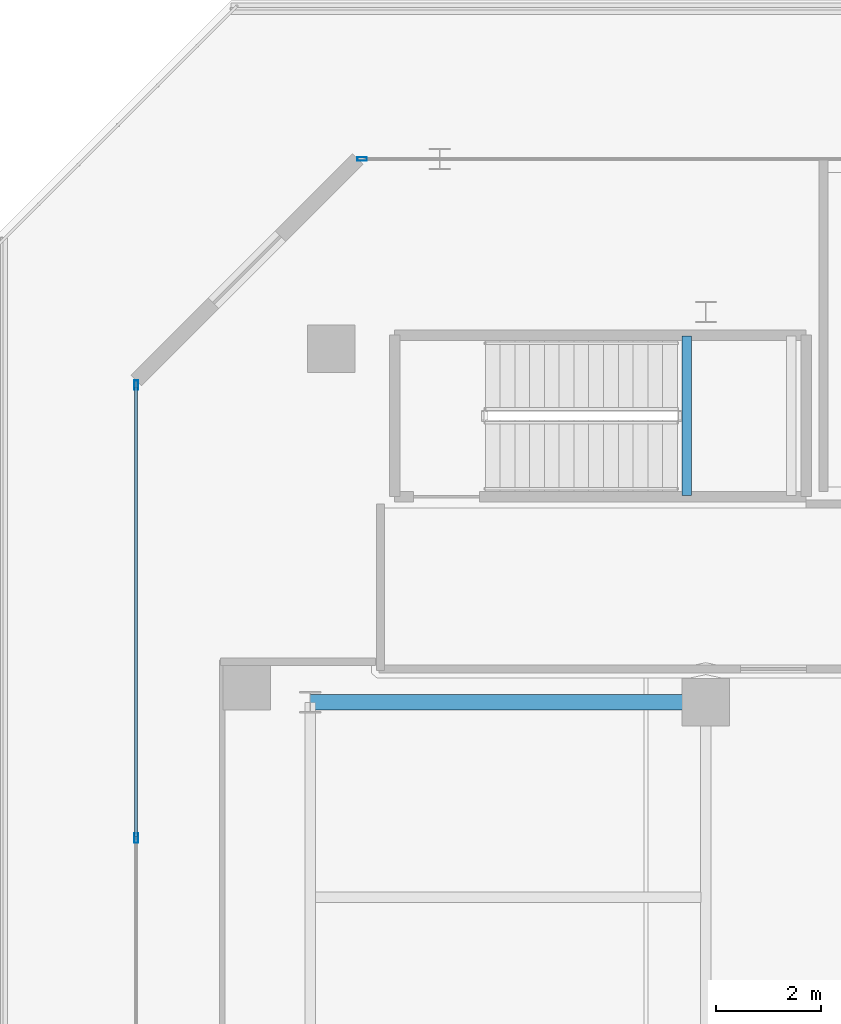
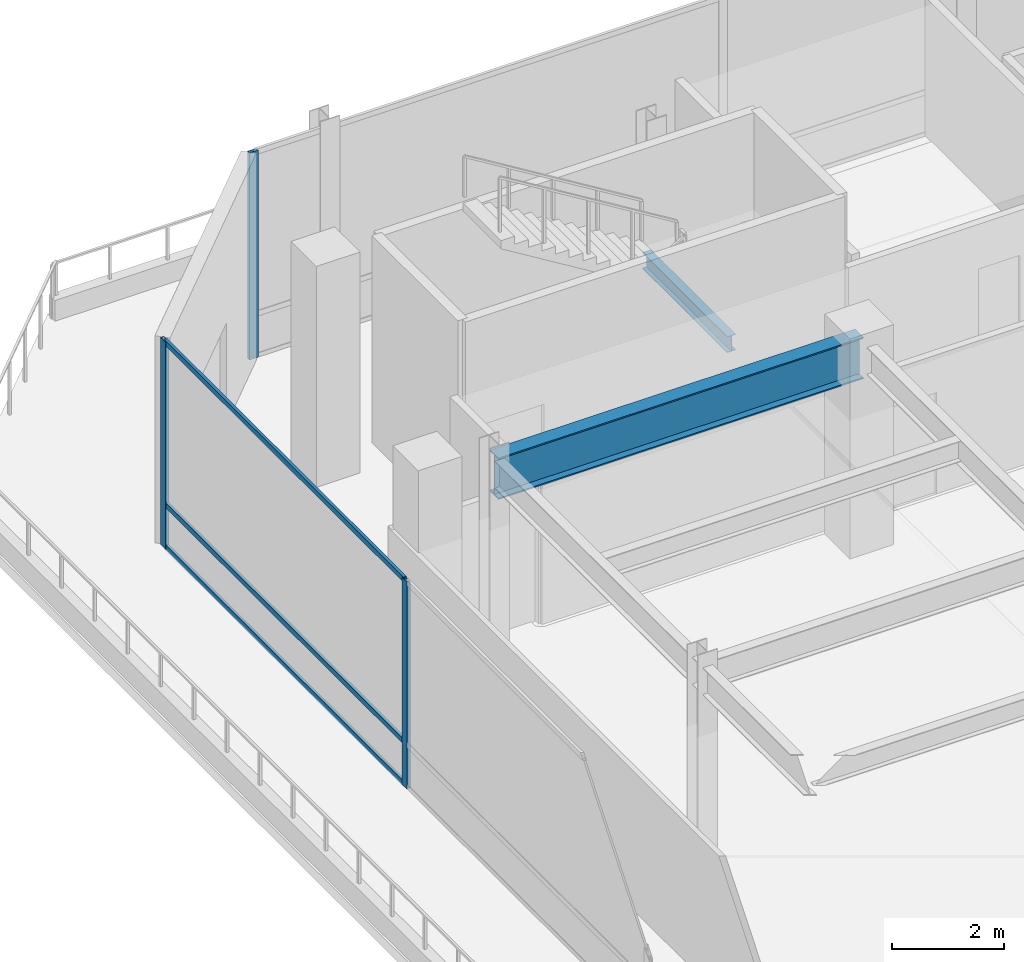
# One storey, part 14 of 39: 6 members, 2 beams, 2 elements without a shape of their own.
"""IFC4 building model written with IfcOpenShell, lengths in metres."""

from ifc_helpers import new_model, si_unit, direction, frame, origin, origin_2d, place, context, subcontext, project, spatial, hollow_rectangle, i_section, extrude, material, layer, layer_set, material_profile, profile_set, type_object, element, aggregate, save


model = new_model("IFC4")

# Units and contexts
model_context = context("Model", 3, precision=1e-05, world=origin(), true_north=direction((0.0, 1.0)))
body_context = subcontext(model_context, "Body", "Model", "MODEL_VIEW")
ifc_project = project(units=[si_unit("LENGTHUNIT", "METRE"), si_unit("AREAUNIT", "SQUARE_METRE"), si_unit("VOLUMEUNIT", "CUBIC_METRE"), si_unit("PLANEANGLEUNIT", "RADIAN"), si_unit("MASSUNIT", "GRAM", prefix="KILO")], contexts=[model_context])

# Site, building, storey
site_placement = place(None, origin())
site = spatial("IfcSite", under=ifc_project, at=site_placement, CompositionType="ELEMENT")
building_placement = place(site_placement, origin())
building = spatial("IfcBuilding", under=site, at=building_placement, Name="Qianvela Tower", CompositionType="ELEMENT")
storey_placement = place(building_placement, frame((0.0, 0.0, 15.800048828125)))
storey = spatial("IfcBuildingStorey", under=building, at=storey_placement, Name="L03", CompositionType="ELEMENT", Elevation=15.800048828125)

# Beams
ifc_material_1 = material(Name="Steel Q355B", Category="steel")
ifc_material_profile_1 = material_profile(ifc_material_1, i_section(OverallWidth=0.175048828125, OverallDepth=0.35009765625, WebThickness=0.007080078125, FlangeThickness=0.010986328125, at=origin_2d()), Name="HN350x175x7x11")
ifc_profile_set_1 = profile_set([ifc_material_profile_1], Name="Steel Q355B")
beam_type_1 = type_object("IfcBeamType", Name="BM-HN350-JOIST", PredefinedType="JOIST", material=ifc_profile_set_1)
beam_1_placement = place(storey_placement, frame((14.639892578125, 41.1201171875, 2.02490234375), z_axis=(0.0, 1.0, 0.0), x_axis=(-1.0, 0.0, 0.0)))
element("IfcBeam", 1, at=beam_1_placement, inside=storey, type_object=beam_type_1, Name="L03 Stair ST-3 Landing Support Beam 1.1", PredefinedType="JOIST", context=body_context, shape_type="SweptSolid", body=[
    extrude(i_section(OverallWidth=0.175048828125, OverallDepth=0.35009765625, WebThickness=0.007080078125, FlangeThickness=0.010986328125, at=origin_2d()), origin(), (0.0, 0.0, 1.0), 3.019775390625),
])
ifc_material_2 = material(Name="Steel Q355B", Category="steel")
ifc_material_profile_2 = material_profile(ifc_material_2, i_section(OverallWidth=0.300048828125, OverallDepth=0.89990234375, WebThickness=0.01611328125, FlangeThickness=0.028076171875, at=origin_2d()), Name="HN900x300x16x28")
ifc_profile_set_2 = profile_set([ifc_material_profile_2], Name="Steel Q355B")
beam_type_2 = type_object("IfcBeamType", Name="BM-HN900-SPAND", PredefinedType="SPANDREL", material=ifc_profile_set_2)
beam_2_placement = place(storey_placement, frame((7.5, 37.199951171875, 4.0478515625), z_axis=(1.0, 0.0, 0.0), x_axis=(0.0, 1.0, 0.0)))
element("IfcBeam", 2, at=beam_2_placement, inside=storey, type_object=beam_type_2, Name="L03 East-West Grid Girder 14", PredefinedType="SPANDREL", context=body_context, shape_type="SweptSolid", body=[
    extrude(i_section(OverallWidth=0.300048828125, OverallDepth=0.89990234375, WebThickness=0.01611328125, FlangeThickness=0.028076171875, at=origin_2d()), origin(), (0.0, 0.0, 1.0), 7.5),
])

# Curtain wall, member
ifc_material_3 = material(Name="Anodised Architectural Aluminium and Low-E Glass", Category="aluminium")
ifc_layer = layer(ifc_material_3, 0.179931640625)
ifc_layer_set = layer_set([ifc_layer], Name="Anodised Architectural Aluminium and Low-E Glass")
curtain_wall_type = type_object("IfcCurtainWallType", Name="CW-COMMONS", PredefinedType="USERDEFINED", material=ifc_layer_set)
curtain_wall_1_placement = place(storey_placement, origin())
curtain_wall_1 = element("IfcCurtainWall", 3, at=curtain_wall_1_placement, inside=storey, type_object=curtain_wall_type, Name="L03 CW-COMMONS Curtain Wall 05", ObjectType="CURTAIN_WALL_SYSTEM", PredefinedType="USERDEFINED")
ifc_material_4 = material(Name="Anodised Architectural Aluminium 6063-T6", Category="aluminium")
ifc_material_profile_3 = material_profile(ifc_material_4, hollow_rectangle(XDim=0.070068359375, YDim=0.179931640625, WallThickness=0.0048828125, at=origin_2d()), Name="ALU-MULL-70x180")
ifc_profile_set_3 = profile_set([ifc_material_profile_3], Name="Anodised Architectural Aluminium 6063-T6")
member_type_1 = type_object("IfcMemberType", Name="CW-COMMONS-MULL", PredefinedType="MULLION", material=ifc_profile_set_3)
member_1_placement = place(storey_placement, frame((8.485107421875, 47.5, 0.0), z_axis=(0.0, 0.0, 1.0), x_axis=(0.0, -1.0, 0.0)))
member_1 = element("IfcMember", 4, at=member_1_placement, type_object=member_type_1, Name="CW-2 mullion 7", PredefinedType="MULLION", context=body_context, shape_type="SweptSolid", body=[
    extrude(hollow_rectangle(XDim=0.070068359375, YDim=0.179931640625, WallThickness=0.0048828125, at=origin_2d()), origin(), (0.0, 0.0, 1.0), 4.5),
])
aggregate(curtain_wall_1, [member_1])

# Curtain wall, members
curtain_wall_2_placement = place(storey_placement, origin())
curtain_wall_2 = element("IfcCurtainWall", 5, at=curtain_wall_2_placement, inside=storey, type_object=curtain_wall_type, Name="L03 CW-COMMONS Curtain Wall 07", ObjectType="CURTAIN_WALL_SYSTEM", PredefinedType="USERDEFINED")
member_2_placement = place(storey_placement, frame((4.199951171875, 43.215087890625, 0.0), z_axis=(0.0, 0.0, 1.0), x_axis=(1.0, 0.0, 0.0)))
member_2 = element("IfcMember", 6, at=member_2_placement, type_object=member_type_1, Name="CW-2 mullion 1", PredefinedType="MULLION", context=body_context, shape_type="SweptSolid", body=[
    extrude(hollow_rectangle(XDim=0.070068359375, YDim=0.179931640625, WallThickness=0.0048828125, at=origin_2d()), origin(), (0.0, 0.0, 1.0), 4.5),
])
member_3_placement = place(storey_placement, frame((4.199951171875, 34.625, 0.0), z_axis=(0.0, 0.0, 1.0), x_axis=(1.0, 0.0, 0.0)))
member_3 = element("IfcMember", 7, at=member_3_placement, type_object=member_type_1, Name="CW-2 mullion 2", PredefinedType="MULLION", context=body_context, shape_type="SweptSolid", body=[
    extrude(hollow_rectangle(XDim=0.070068359375, YDim=0.179931640625, WallThickness=0.0048828125, at=origin_2d()), origin(), (0.0, 0.0, 1.0), 4.5),
])
ifc_material_5 = material(Name="Anodised Architectural Aluminium 6063-T6", Category="aluminium")
ifc_material_profile_4 = material_profile(ifc_material_5, hollow_rectangle(XDim=0.06005859375, YDim=0.114990234375, WallThickness=0.00390625, at=origin_2d()), Name="ALU-TRAN-60x115")
ifc_profile_set_4 = profile_set([ifc_material_profile_4], Name="Anodised Architectural Aluminium 6063-T6")
member_type_2 = type_object("IfcMemberType", Name="CW-COMMONS-TRAN", PredefinedType="USERDEFINED", material=ifc_profile_set_4)
member_4_placement = place(storey_placement, frame((4.199951171875, 43.179931640625, 0.030029296875), z_axis=(0.0, -1.0, 0.0), x_axis=(1.0, 0.0, 0.0)))
member_4 = element("IfcMember", 8, at=member_4_placement, type_object=member_type_2, Name="CW-2 transom 1.1", ObjectType="TRANSOM", PredefinedType="USERDEFINED", context=body_context, shape_type="SweptSolid", body=[
    extrude(hollow_rectangle(XDim=0.06005859375, YDim=0.114990234375, WallThickness=0.00390625, at=origin_2d()), origin(), (0.0, 0.0, 1.0), 8.52001953125),
])
member_5_placement = place(storey_placement, frame((4.199951171875, 43.179931640625, 0.949951171875), z_axis=(0.0, -1.0, 0.0), x_axis=(1.0, 0.0, 0.0)))
member_5 = element("IfcMember", 9, at=member_5_placement, type_object=member_type_2, Name="CW-2 transom 1.2", ObjectType="TRANSOM", PredefinedType="USERDEFINED", context=body_context, shape_type="SweptSolid", body=[
    extrude(hollow_rectangle(XDim=0.06005859375, YDim=0.114990234375, WallThickness=0.00390625, at=origin_2d()), origin(), (0.0, 0.0, 1.0), 8.52001953125),
])
member_6_placement = place(storey_placement, frame((4.199951171875, 43.179931640625, 4.469970703125), z_axis=(0.0, -1.0, 0.0), x_axis=(1.0, 0.0, 0.0)))
member_6 = element("IfcMember", 10, at=member_6_placement, type_object=member_type_2, Name="CW-2 transom 1.3", ObjectType="TRANSOM", PredefinedType="USERDEFINED", context=body_context, shape_type="SweptSolid", body=[
    extrude(hollow_rectangle(XDim=0.06005859375, YDim=0.114990234375, WallThickness=0.00390625, at=origin_2d()), origin(), (0.0, 0.0, 1.0), 8.52001953125),
])
aggregate(curtain_wall_2, [member_2, member_3, member_4, member_5, member_6])

save(model, "model.ifc")
